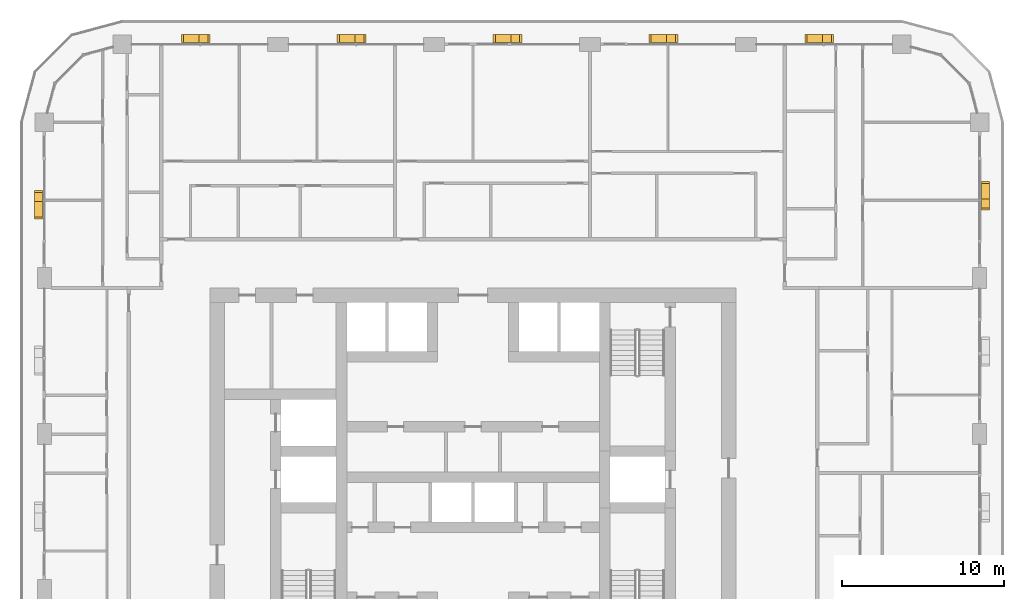
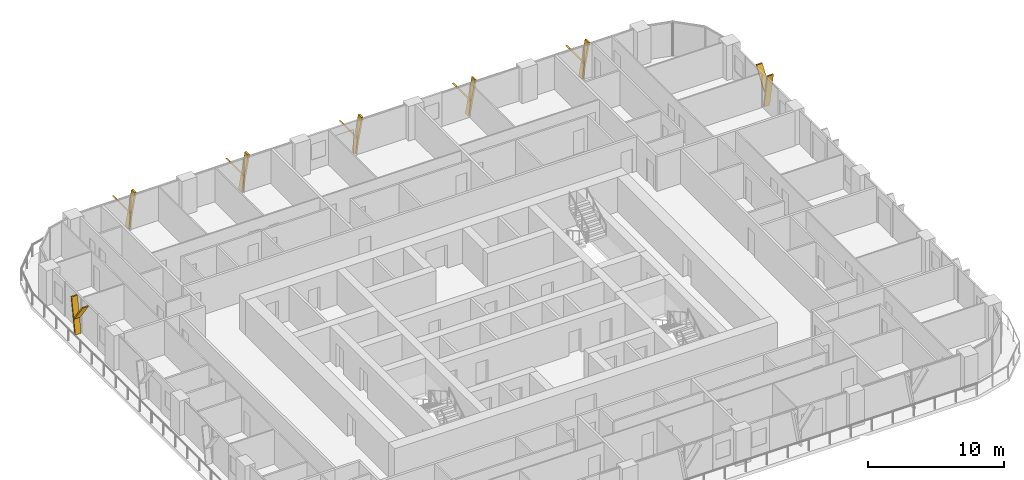
# One storey, part 21 of 21: 14 shading devices.
"""IFC4 building model written with IfcOpenShell, lengths in metres."""

from ifc_helpers import new_model, si_unit, direction, frame, origin, place, context, subcontext, project, spatial, polyline, outline, extrude, material, type_object, element, save


model = new_model("IFC4")

# Units and contexts
model_context = context("Model", 3, precision=1e-05, world=origin(), true_north=direction((0.0, 1.0)))
body_context = subcontext(model_context, "Body", "Model", "MODEL_VIEW")
ifc_project = project(units=[si_unit("LENGTHUNIT", "METRE"), si_unit("AREAUNIT", "SQUARE_METRE"), si_unit("VOLUMEUNIT", "CUBIC_METRE"), si_unit("PLANEANGLEUNIT", "RADIAN"), si_unit("MASSUNIT", "GRAM", prefix="KILO")], contexts=[model_context])

# Site, building, storey
site_placement = place(None, origin())
site = spatial("IfcSite", under=ifc_project, at=site_placement, CompositionType="ELEMENT")
building_placement = place(site_placement, origin())
building = spatial("IfcBuilding", under=site, at=building_placement, Name="Madar Terraces", CompositionType="ELEMENT")
storey_placement = place(building_placement, frame((0.0, 0.0, 110.199951171875)))
storey = spatial("IfcBuildingStorey", under=building, at=storey_placement, Name="L28", CompositionType="ELEMENT", Elevation=110.199951171875)

# Shading devices
ifc_material = material(Name="Aluminium, black anodised", Category="aluminium")
shading_device_type = type_object("IfcShadingDeviceType", Name="Facade fin blade 140 x 500", PredefinedType="USERDEFINED", material=ifc_material)
shading_device_1_placement = place(storey_placement, frame((62.75, 43.1298828125, 0.0), z_axis=(0.0, 0.0, 1.0), x_axis=(0.0, 1.0, 0.0)))
element("IfcShadingDevice", 1, at=shading_device_1_placement, inside=storey, type_object=shading_device_type, Name="FIN L28 E4", ObjectType="FIN", PredefinedType="USERDEFINED", context=body_context, shape_type="SweptSolid", body=[
    extrude(outline(polyline([(0.0, 0.0), (0.14013671875, 0.0), (-0.403076171875, 3.080078125), (-0.54296875, 3.080078125), (0.0, 0.0)])), frame((0.0, 0.25, 0.0), z_axis=(0.0, -1.0, 0.0), x_axis=(1.0, 0.0, 0.0)), (0.0, 0.0, 1.0), 0.5),
])
shading_device_2_placement = place(storey_placement, frame((62.75, 43.025634765625, 1.385986328125), z_axis=(0.0, 0.0, 1.0), x_axis=(0.0, 1.0, 0.0)))
element("IfcShadingDevice", 2, at=shading_device_2_placement, inside=storey, type_object=shading_device_type, Name="FIN L28 E4 branch", ObjectType="FIN", PredefinedType="USERDEFINED", context=body_context, shape_type="SweptSolid", body=[
    extrude(outline(polyline([(0.0, 0.0), (0.139892578125, 0.0), (1.34130859375, 1.694091796875), (1.201416015625, 1.694091796875), (0.0, 0.0)])), frame((0.0, 0.25, 0.0), z_axis=(0.0, -1.0, 0.0), x_axis=(1.0, 0.0, 0.0)), (0.0, 0.0, 1.0), 0.5),
])
shading_device_3_placement = place(storey_placement, frame((52.8701171875, 53.14990234375, 0.0), z_axis=(0.0, 0.0, 1.0), x_axis=(-1.0, 0.0, 0.0)))
element("IfcShadingDevice", 3, at=shading_device_3_placement, inside=storey, type_object=shading_device_type, Name="FIN L28 N1", ObjectType="FIN", PredefinedType="USERDEFINED", context=body_context, shape_type="SweptSolid", body=[
    extrude(outline(polyline([(0.0, 0.0), (0.14013671875, 0.0), (-0.403076171875, 3.080078125), (-0.54296875, 3.080078125), (0.0, 0.0)])), frame((0.0, 0.25, 0.0), z_axis=(0.0, -1.0, 0.0), x_axis=(1.0, 0.0, 0.0)), (0.0, 0.0, 1.0), 0.5),
])
shading_device_4_placement = place(storey_placement, frame((52.974365234375, 53.14990234375, 1.385986328125), z_axis=(0.0, 0.0, 1.0), x_axis=(-1.0, 0.0, 0.0)))
element("IfcShadingDevice", 4, at=shading_device_4_placement, inside=storey, type_object=shading_device_type, Name="FIN L28 N1 branch", ObjectType="FIN", PredefinedType="USERDEFINED", context=body_context, shape_type="SweptSolid", body=[
    extrude(outline(polyline([(0.0, 0.0), (0.139892578125, 0.0), (1.34130859375, 1.694091796875), (1.201416015625, 1.694091796875), (0.0, 0.0)])), frame((0.0, 0.25, 0.0), z_axis=(0.0, -1.0, 0.0), x_axis=(1.0, 0.0, 0.0)), (0.0, 0.0, 1.0), 0.5),
])
shading_device_5_placement = place(storey_placement, frame((43.27001953125, 53.14990234375, 0.0), z_axis=(0.0, 0.0, 1.0), x_axis=(-1.0, 0.0, 0.0)))
element("IfcShadingDevice", 5, at=shading_device_5_placement, inside=storey, type_object=shading_device_type, Name="FIN L28 N2", ObjectType="FIN", PredefinedType="USERDEFINED", context=body_context, shape_type="SweptSolid", body=[
    extrude(outline(polyline([(0.0, 0.0), (0.14013671875, 0.0), (-0.403076171875, 3.080078125), (-0.54296875, 3.080078125), (0.0, 0.0)])), frame((0.0, 0.25, 0.0), z_axis=(0.0, -1.0, 0.0), x_axis=(1.0, 0.0, 0.0)), (0.0, 0.0, 1.0), 0.5),
])
shading_device_6_placement = place(storey_placement, frame((43.374267578125, 53.14990234375, 1.385986328125), z_axis=(0.0, 0.0, 1.0), x_axis=(-1.0, 0.0, 0.0)))
element("IfcShadingDevice", 6, at=shading_device_6_placement, inside=storey, type_object=shading_device_type, Name="FIN L28 N2 branch", ObjectType="FIN", PredefinedType="USERDEFINED", context=body_context, shape_type="SweptSolid", body=[
    extrude(outline(polyline([(0.0, 0.0), (0.139892578125, 0.0), (1.34130859375, 1.694091796875), (1.201416015625, 1.694091796875), (0.0, 0.0)])), frame((0.0, 0.25, 0.0), z_axis=(0.0, -1.0, 0.0), x_axis=(1.0, 0.0, 0.0)), (0.0, 0.0, 1.0), 0.5),
])
shading_device_7_placement = place(storey_placement, frame((33.669921875, 53.14990234375, 0.0), z_axis=(0.0, 0.0, 1.0), x_axis=(-1.0, 0.0, 0.0)))
element("IfcShadingDevice", 7, at=shading_device_7_placement, inside=storey, type_object=shading_device_type, Name="FIN L28 N3", ObjectType="FIN", PredefinedType="USERDEFINED", context=body_context, shape_type="SweptSolid", body=[
    extrude(outline(polyline([(0.0, 0.0), (0.139892578125, 0.0), (-0.403076171875, 3.080078125), (-0.54296875, 3.080078125), (0.0, 0.0)])), frame((0.0, 0.25, 0.0), z_axis=(0.0, -1.0, 0.0), x_axis=(1.0, 0.0, 0.0)), (0.0, 0.0, 1.0), 0.5),
])
shading_device_8_placement = place(storey_placement, frame((33.7744140625, 53.14990234375, 1.385986328125), z_axis=(0.0, 0.0, 1.0), x_axis=(-1.0, 0.0, 0.0)))
element("IfcShadingDevice", 8, at=shading_device_8_placement, inside=storey, type_object=shading_device_type, Name="FIN L28 N3 branch", ObjectType="FIN", PredefinedType="USERDEFINED", context=body_context, shape_type="SweptSolid", body=[
    extrude(outline(polyline([(0.0, 0.0), (0.14013671875, 0.0), (1.34130859375, 1.694091796875), (1.201416015625, 1.694091796875), (0.0, 0.0)])), frame((0.0, 0.25, 0.0), z_axis=(0.0, -1.0, 0.0), x_axis=(1.0, 0.0, 0.0)), (0.0, 0.0, 1.0), 0.5),
])
shading_device_9_placement = place(storey_placement, frame((24.070068359375, 53.14990234375, 0.0), z_axis=(0.0, 0.0, 1.0), x_axis=(-1.0, 0.0, 0.0)))
element("IfcShadingDevice", 9, at=shading_device_9_placement, inside=storey, type_object=shading_device_type, Name="FIN L28 N4", ObjectType="FIN", PredefinedType="USERDEFINED", context=body_context, shape_type="SweptSolid", body=[
    extrude(outline(polyline([(0.0, 0.0), (0.14013671875, 0.0), (-0.403076171875, 3.080078125), (-0.54296875, 3.080078125), (0.0, 0.0)])), frame((0.0, 0.25, 0.0), z_axis=(0.0, -1.0, 0.0), x_axis=(1.0, 0.0, 0.0)), (0.0, 0.0, 1.0), 0.5),
])
shading_device_10_placement = place(storey_placement, frame((24.17431640625, 53.14990234375, 1.385986328125), z_axis=(0.0, 0.0, 1.0), x_axis=(-1.0, 0.0, 0.0)))
element("IfcShadingDevice", 10, at=shading_device_10_placement, inside=storey, type_object=shading_device_type, Name="FIN L28 N4 branch", ObjectType="FIN", PredefinedType="USERDEFINED", context=body_context, shape_type="SweptSolid", body=[
    extrude(outline(polyline([(0.0, 0.0), (0.139892578125, 0.0), (1.34130859375, 1.694091796875), (1.201416015625, 1.694091796875), (0.0, 0.0)])), frame((0.0, 0.25, 0.0), z_axis=(0.0, -1.0, 0.0), x_axis=(1.0, 0.0, 0.0)), (0.0, 0.0, 1.0), 0.5),
])
shading_device_11_placement = place(storey_placement, frame((14.469970703125, 53.14990234375, 0.0), z_axis=(0.0, 0.0, 1.0), x_axis=(-1.0, 0.0, 0.0)))
element("IfcShadingDevice", 11, at=shading_device_11_placement, inside=storey, type_object=shading_device_type, Name="FIN L28 N5", ObjectType="FIN", PredefinedType="USERDEFINED", context=body_context, shape_type="SweptSolid", body=[
    extrude(outline(polyline([(0.0, 0.0), (0.139892578125, 0.0), (-0.403076171875, 3.080078125), (-0.54296875, 3.080078125), (0.0, 0.0)])), frame((0.0, 0.25, 0.0), z_axis=(0.0, -1.0, 0.0), x_axis=(1.0, 0.0, 0.0)), (0.0, 0.0, 1.0), 0.5),
])
shading_device_12_placement = place(storey_placement, frame((14.574462890625, 53.14990234375, 1.385986328125), z_axis=(0.0, 0.0, 1.0), x_axis=(-1.0, 0.0, 0.0)))
element("IfcShadingDevice", 12, at=shading_device_12_placement, inside=storey, type_object=shading_device_type, Name="FIN L28 N5 branch", ObjectType="FIN", PredefinedType="USERDEFINED", context=body_context, shape_type="SweptSolid", body=[
    extrude(outline(polyline([(0.0, 0.0), (0.14013671875, 0.0), (1.34130859375, 1.694091796875), (1.201416015625, 1.694091796875), (0.0, 0.0)])), frame((0.0, 0.25, 0.0), z_axis=(0.0, -1.0, 0.0), x_axis=(1.0, 0.0, 0.0)), (0.0, 0.0, 1.0), 0.5),
])
shading_device_13_placement = place(storey_placement, frame((4.449951171875, 43.27001953125, 0.0), z_axis=(0.0, 0.0, 1.0), x_axis=(0.0, -1.0, 0.0)))
element("IfcShadingDevice", 13, at=shading_device_13_placement, inside=storey, type_object=shading_device_type, Name="FIN L28 W1", ObjectType="FIN", PredefinedType="USERDEFINED", context=body_context, shape_type="SweptSolid", body=[
    extrude(outline(polyline([(0.0, 0.0), (0.14013671875, 0.0), (-0.403076171875, 3.080078125), (-0.54296875, 3.080078125), (0.0, 0.0)])), frame((0.0, 0.25, 0.0), z_axis=(0.0, -1.0, 0.0), x_axis=(1.0, 0.0, 0.0)), (0.0, 0.0, 1.0), 0.5),
])
shading_device_14_placement = place(storey_placement, frame((4.449951171875, 43.374267578125, 1.385986328125), z_axis=(0.0, 0.0, 1.0), x_axis=(0.0, -1.0, 0.0)))
element("IfcShadingDevice", 14, at=shading_device_14_placement, inside=storey, type_object=shading_device_type, Name="FIN L28 W1 branch", ObjectType="FIN", PredefinedType="USERDEFINED", context=body_context, shape_type="SweptSolid", body=[
    extrude(outline(polyline([(0.0, 0.0), (0.139892578125, 0.0), (1.34130859375, 1.694091796875), (1.201416015625, 1.694091796875), (0.0, 0.0)])), frame((0.0, 0.25, 0.0), z_axis=(0.0, -1.0, 0.0), x_axis=(1.0, 0.0, 0.0)), (0.0, 0.0, 1.0), 0.5),
])

save(model, "model.ifc")
